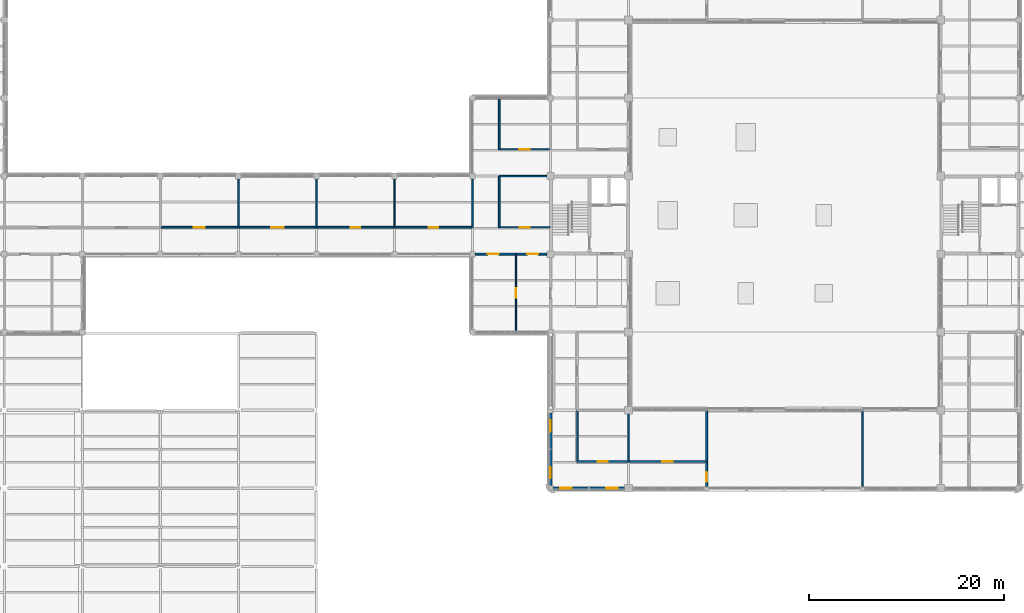
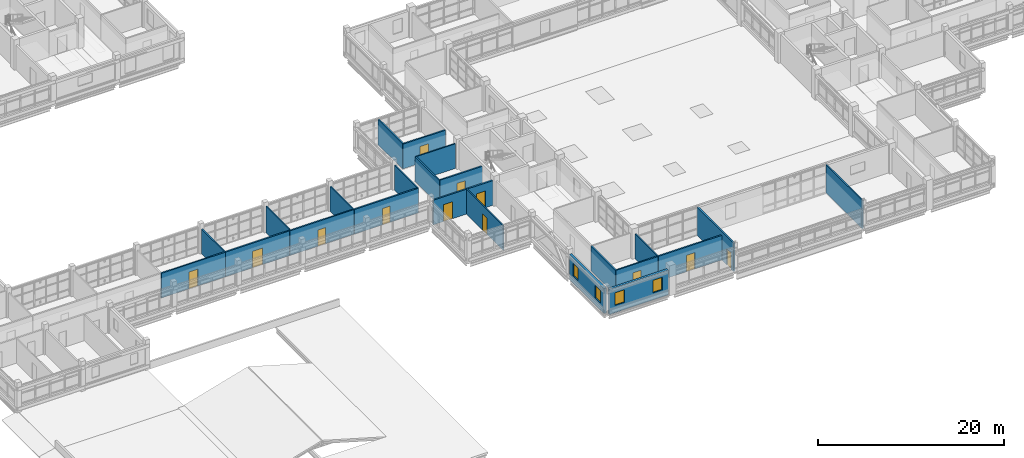
# One storey, part 75 of 107: 23 walls, 12 doors, 4 windows, 16 openings.
"""IFC4 building model written with IfcOpenShell, lengths in metres."""

import ifcopenshell
import ifcopenshell.guid

model = None  # the IFC model being written
_history = None  # IfcOwnerHistory: only IFC2X3 demands one
_inside = {}  # id of a spatial element -> (the spatial element, [elements in it])
_under = {}  # id of a project, library or spatial element -> (it, [spatial elements below it])
_declared = {}  # id of a project -> (the project, [libraries it declares])
_typed = {}  # id of a type object -> (the type object, [elements of that type])
_made_of = {}  # id of a material, layer set ... -> (it, [elements and type objects made of it])


def new_model(schema):
    """Start an empty IFC model of exactly this schema.

    Asked for "IFC4X3", IfcOpenShell would pick the latest addendum, in which some entities
    have other attributes; the version numbers below select the first issue.
    IFC2X3 requires an IfcOwnerHistory on every rooted entity: one is made here for all.
    """
    global model, _history
    if schema == "IFC4X3":
        model = ifcopenshell.file(schema_version=(4, 3, 0, 0))
    else:
        model = ifcopenshell.file(schema=schema)
    _inside.clear()
    _under.clear()
    _declared.clear()
    _typed.clear()
    _made_of.clear()
    _history = None
    if model.schema == "IFC2X3":
        org = make("IfcOrganization", Name="unknown")
        user = make(
            "IfcPersonAndOrganization",
            ThePerson=make("IfcPerson", FamilyName="unknown"),
            TheOrganization=org,
        )
        app = make(
            "IfcApplication",
            ApplicationDeveloper=org,
            Version="unknown",
            ApplicationFullName="unknown",
            ApplicationIdentifier="unknown",
        )
        _history = make(
            "IfcOwnerHistory",
            OwningUser=user,
            OwningApplication=app,
            ChangeAction="ADDED",
            CreationDate=0,
        )
    return model


def make(cls, **values):
    """One entity of the class cls with the attributes given. An attribute that is None is left unset."""
    return model.create_entity(
        cls, **{name: value for name, value in values.items() if value is not None}
    )


def rooted(cls, **values):
    """An entity with a GlobalId (a new one), such as an element, a storey or a relation."""
    return make(cls, GlobalId=ifcopenshell.guid.new(), OwnerHistory=_history, **values)


def si_unit(unit_type, name, prefix=None):
    """IfcSIUnit, for example si_unit("LENGTHUNIT", "METRE", prefix="MILLI")."""
    return make("IfcSIUnit", UnitType=unit_type, Prefix=prefix, Name=name)


def derived_unit(unit_type, elements):
    """IfcDerivedUnit: a product of units, each with its exponent."""
    return make(
        "IfcDerivedUnit",
        Elements=[
            make("IfcDerivedUnitElement", Unit=unit, Exponent=power)
            for unit, power in elements
        ],
        UnitType=unit_type,
    )


def assignment(units):
    """IfcUnitAssignment: the units of a project."""
    return None if units is None else make("IfcUnitAssignment", Units=units)


def point(xyz):
    """IfcCartesianPoint."""
    return None if xyz is None else make("IfcCartesianPoint", Coordinates=xyz)


def direction(xyz):
    """IfcDirection."""
    return None if xyz is None else make("IfcDirection", DirectionRatios=xyz)


def frame(location, z_axis=None, x_axis=None):
    """IfcAxis2Placement3D, a coordinate frame: its origin and axes. An axis left out is left unset."""
    return make(
        "IfcAxis2Placement3D",
        Location=point(location),
        Axis=direction(z_axis),
        RefDirection=direction(x_axis),
    )


def frame_2d(location, x_axis=None):
    """IfcAxis2Placement2D, a coordinate frame in the plane: its origin and x axis."""
    return make(
        "IfcAxis2Placement2D", Location=point(location), RefDirection=direction(x_axis)
    )


def origin():
    """The frame at (0, 0, 0) with its axes left unset."""
    return frame((0.0, 0.0, 0.0))


def place(relative_to, where):
    """IfcLocalPlacement: puts the frame where relative to a parent placement (None: the world)."""
    return make(
        "IfcLocalPlacement", PlacementRelTo=relative_to, RelativePlacement=where
    )


def context(
    kind, dimensions, precision=None, world=None, true_north=None, identifier=None
):
    """IfcGeometricRepresentationContext, for example the 3D "Model" context."""
    return make(
        "IfcGeometricRepresentationContext",
        ContextIdentifier=identifier,
        ContextType=kind,
        CoordinateSpaceDimension=dimensions,
        Precision=precision,
        WorldCoordinateSystem=world,
        TrueNorth=true_north,
    )


def subcontext(parent, identifier, kind, view, scale=None):
    """IfcGeometricRepresentationSubContext, for example "Body" below "Model"."""
    return make(
        "IfcGeometricRepresentationSubContext",
        ContextIdentifier=identifier,
        ContextType=kind,
        ParentContext=parent,
        TargetScale=scale,
        TargetView=view,
    )


def project(units=None, contexts=None):
    """IfcProject with its units and contexts."""
    return rooted(
        "IfcProject",
        Name="project",
        RepresentationContexts=contexts,
        UnitsInContext=assignment(units),
    )


def spatial(cls, under=None, at=None, **own):
    """A site, building, storey or space (cls), placed at a placement, below another one or the project."""
    s = rooted(cls, ObjectPlacement=at, **own)
    if under is not None:
        _under.setdefault(under.id(), (under, []))[1].append(s)
    return s


def profile(cls, at=None, kind="AREA", **sizes):
    """A parametric profile (cls). Its sizes go by their IFC names, for example OverallWidth=200.0."""
    return make(cls, ProfileType=kind, Position=at, **sizes)


def rectangle(**sizes):
    """IfcRectangleProfileDef."""
    return profile("IfcRectangleProfileDef", **sizes)


def extrude(swept, where, along, depth):
    """IfcExtrudedAreaSolid: the profile swept, set in the frame where, extruded along a direction by depth."""
    return make(
        "IfcExtrudedAreaSolid",
        SweptArea=swept,
        Position=where,
        ExtrudedDirection=direction(along),
        Depth=depth,
    )


def shape(context_of_items, identifier, shape_type, items):
    """IfcShapeRepresentation: the items that make up one representation, for example the "Body"."""
    return make(
        "IfcShapeRepresentation",
        ContextOfItems=context_of_items,
        RepresentationIdentifier=identifier,
        RepresentationType=shape_type,
        Items=items,
    )


def material(Name=None, Category=None):
    """IfcMaterial."""
    return make("IfcMaterial", Name=Name, Category=Category)


def layer(
    of_material, thickness, ventilated=None, Name=None, Category=None, Priority=None
):
    """IfcMaterialLayer: one layer of a wall or slab, of a material (None: an air gap)."""
    return make(
        "IfcMaterialLayer",
        Material=of_material,
        LayerThickness=thickness,
        IsVentilated=ventilated,
        Name=Name,
        Category=Category,
        Priority=Priority,
    )


def layer_set(layers, Name=None):
    """IfcMaterialLayerSet."""
    return make("IfcMaterialLayerSet", MaterialLayers=layers, LayerSetName=Name)


def made_of(thing, what):
    """Note that an element or type object is made of a material, layer set ...; save() writes the relation."""
    if what is not None:
        _made_of.setdefault(what.id(), (what, []))[1].append(thing)
    return thing


def type_object(cls, material=None, **own):
    """A type object (cls), such as IfcWallType, which elements share."""
    return made_of(rooted(cls, **own), material)


def element(
    cls,
    number,
    at=None,
    inside=None,
    cuts=None,
    type_object=None,
    material=None,
    context=None,
    identifier="Body",
    shape_type=None,
    held_by="IfcProductDefinitionShape",
    body=None,
    shapes=None,
    **own,
):
    """One element of the class cls, such as IfcWall. Its Tag is "e" and its number.

    at: its placement. inside: the storey or other place that contains it. cuts: it is an
    opening in that element (IfcRelVoidsElement). A single representation is given by context,
    identifier, shape_type and body (its items); several are given by shapes. held_by: the class
    of the entity that holds the representations. save() writes the other relations.
    """
    e = rooted(cls, Tag="e%d" % number, ObjectPlacement=at, **own)
    if body is not None:
        shapes = [shape(context, identifier, shape_type, body)]
    if shapes is not None:
        e.Representation = make(held_by, Representations=shapes)
    if inside is not None:
        _inside.setdefault(inside.id(), (inside, []))[1].append(e)
    if cuts is not None:
        rooted(
            "IfcRelVoidsElement", RelatingBuildingElement=cuts, RelatedOpeningElement=e
        )
    if type_object is not None:
        _typed.setdefault(type_object.id(), (type_object, []))[1].append(e)
    return made_of(e, material)


def fill(opening, filler):
    """IfcRelFillsElement: the door or window that sits in an opening."""
    return rooted(
        "IfcRelFillsElement",
        RelatingOpeningElement=opening,
        RelatedBuildingElement=filler,
    )


def aggregate(whole, parts):
    """IfcRelAggregates: a whole, such as a stair, and the parts it consists of."""
    return rooted("IfcRelAggregates", RelatingObject=whole, RelatedObjects=parts)


def save(model, path):
    """Write the relations noted so far, then the file.

    IfcRelAggregates (storeys below a building ...), IfcRelContainedInSpatialStructure (elements
    in a storey), IfcRelDefinesByType, IfcRelAssociatesMaterial and IfcRelDeclares: one each for
    every whole, place, type object, material and project.
    """
    for whole, parts in _under.values():
        aggregate(whole, parts)
    for where, things in _inside.values():
        rooted(
            "IfcRelContainedInSpatialStructure",
            RelatedElements=things,
            RelatingStructure=where,
        )
    for kind, things in _typed.values():
        rooted("IfcRelDefinesByType", RelatedObjects=things, RelatingType=kind)
    for what, things in _made_of.values():
        rooted("IfcRelAssociatesMaterial", RelatedObjects=things, RelatingMaterial=what)
    for by, libraries in _declared.values():
        rooted("IfcRelDeclares", RelatingContext=by, RelatedDefinitions=libraries)
    model.write(path)


model = new_model("IFC4")

# Units and contexts
model_context = context("Model", 3, precision=1e-05, world=origin(), true_north=direction((0.0, 1.0)))
body_context = subcontext(model_context, "Body", "Model", "MODEL_VIEW")
ifc_project = project(units=[si_unit("LENGTHUNIT", "METRE"), si_unit("AREAUNIT", "SQUARE_METRE"), si_unit("VOLUMEUNIT", "CUBIC_METRE"), si_unit("PLANEANGLEUNIT", "RADIAN"), si_unit("MASSUNIT", "GRAM", prefix="KILO"), derived_unit("THERMALTRANSMITTANCEUNIT", [(si_unit("MASSUNIT", "GRAM", prefix="KILO"), 1), (si_unit("TIMEUNIT", "SECOND"), -3), (si_unit("THERMODYNAMICTEMPERATUREUNIT", "KELVIN"), -1)])], contexts=[model_context])

# Site, building, storey
site_placement = place(None, origin())
site = spatial("IfcSite", under=ifc_project, at=site_placement, CompositionType="ELEMENT")
building_placement = place(site_placement, origin())
building = spatial("IfcBuilding", under=site, at=building_placement, Name="Veyamyaing Civic Hall", CompositionType="ELEMENT")
storey_placement = place(building_placement, frame((0.0, 0.0, 13.860107421875)))
storey = spatial("IfcBuildingStorey", under=building, at=storey_placement, Name="L03", CompositionType="ELEMENT", Elevation=13.860107421875)

# Wall, openings, windows
ifc_material_1 = material(Name="Precast concrete C40/50", Category="concrete")
ifc_layer_1 = layer(ifc_material_1, 0.304931640625, Name="Precast concrete C40/50")
ifc_layer_set_1 = layer_set([ifc_layer_1], Name="Precast concrete C40/50")
wall_type_1 = type_object("IfcWallType", Name="WT-03", PredefinedType="SOLIDWALL", material=ifc_layer_set_1)
wall_1_placement = place(storey_placement, frame((64.260009765625, 24.0, 0.0), z_axis=(0.0, 0.0, 1.0), x_axis=(1.0, 0.0, 0.0)))
wall_1 = element("IfcWall", 1, at=wall_1_placement, inside=storey, type_object=wall_type_1, Name="Exterior facade wall WT-03 L03 S 9.4", PredefinedType="SOLIDWALL", context=body_context, shape_type="SweptSolid", body=[
    extrude(rectangle(XDim=7.35498046875, YDim=0.304931640625, at=frame_2d((3.677490234375, 0.0))), origin(), (0.0, 0.0, 1.0), 3.303955078125),
])
opening_1_placement = place(wall_1_placement, frame((0.748779296875, 0.0, 0.949951171875)))
opening_1 = element("IfcOpeningElement", 2, at=opening_1_placement, cuts=wall_1, Name="Opening W-32", PredefinedType="OPENING", context=body_context, shape_type="SweptSolid", body=[
    extrude(rectangle(XDim=1.14990234375, YDim=1.64990234375, at=frame_2d((0.574951171875, 0.824951171875))), frame((0.0, 0.162353515625, 0.0), z_axis=(0.0, -1.0, 0.0), x_axis=(1.0, 0.0, 0.0)), (0.0, 0.0, 1.0), 0.324951171875),
])
opening_2_placement = place(wall_1_placement, frame((5.4560546875, 0.0, 0.949951171875)))
opening_2 = element("IfcOpeningElement", 3, at=opening_2_placement, cuts=wall_1, Name="Opening W-32", PredefinedType="OPENING", context=body_context, shape_type="SweptSolid", body=[
    extrude(rectangle(XDim=1.14990234375, YDim=1.64990234375, at=frame_2d((0.574951171875, 0.824951171875))), frame((0.0, 0.162353515625, 0.0), z_axis=(0.0, -1.0, 0.0), x_axis=(1.0, 0.0, 0.0)), (0.0, 0.0, 1.0), 0.324951171875),
])
ifc_material_2 = material(Name="Low-E insulated glass", Category="glass")
window_type = type_object("IfcWindowType", Name="W-32", PartitioningType="SINGLE_PANEL", PredefinedType="WINDOW", material=ifc_material_2)
window_1_placement = place(opening_1_placement, origin())
window_1 = element("IfcWindow", 4, at=window_1_placement, inside=storey, type_object=window_type, Name="Facade window W-32 L03 S 9.4.1", OverallHeight=1.64990234375, OverallWidth=1.14990234375, PartitioningType="SINGLE_PANEL", PredefinedType="WINDOW", context=body_context, shape_type="SweptSolid", body=[
    extrude(rectangle(XDim=1.14990234375, YDim=1.64990234375, at=frame_2d((0.574951171875, 0.824951171875))), frame((0.0, 0.030029296875, 0.0), z_axis=(0.0, -1.0, 0.0), x_axis=(1.0, 0.0, 0.0)), (0.0, 0.0, 1.0), 0.06005859375),
])
fill(opening_1, window_1)
window_2_placement = place(opening_2_placement, origin())
window_2 = element("IfcWindow", 5, at=window_2_placement, inside=storey, type_object=window_type, Name="Facade window W-32 L03 S 9.4.2", OverallHeight=1.64990234375, OverallWidth=1.14990234375, PartitioningType="SINGLE_PANEL", PredefinedType="WINDOW", context=body_context, shape_type="SweptSolid", body=[
    extrude(rectangle(XDim=1.14990234375, YDim=1.64990234375, at=frame_2d((0.574951171875, 0.824951171875))), frame((0.0, 0.030029296875, 0.0), z_axis=(0.0, -1.0, 0.0), x_axis=(1.0, 0.0, 0.0)), (0.0, 0.0, 1.0), 0.06005859375),
])
fill(opening_2, window_2)

wall_2_placement = place(storey_placement, frame((64.0, 24.260009765625, 0.0), z_axis=(0.0, 0.0, 1.0), x_axis=(0.0, 1.0, 0.0)))
wall_2 = element("IfcWall", 6, at=wall_2_placement, inside=storey, type_object=wall_type_1, Name="Exterior facade wall WT-03 L03 W 9.4", PredefinedType="SOLIDWALL", context=body_context, shape_type="SweptSolid", body=[
    extrude(rectangle(XDim=7.47998046875, YDim=0.304931640625, at=frame_2d((3.739990234375, 0.0))), origin(), (0.0, 0.0, 1.0), 3.303955078125),
])
opening_3_placement = place(wall_2_placement, frame((0.771484375, 0.0, 0.949951171875)))
opening_3 = element("IfcOpeningElement", 7, at=opening_3_placement, cuts=wall_2, Name="Opening W-32", PredefinedType="OPENING", context=body_context, shape_type="SweptSolid", body=[
    extrude(rectangle(XDim=1.14990234375, YDim=1.64990234375, at=frame_2d((0.574951171875, 0.824951171875))), frame((0.0, 0.162353515625, 0.0), z_axis=(0.0, -1.0, 0.0), x_axis=(1.0, 0.0, 0.0)), (0.0, 0.0, 1.0), 0.324951171875),
])
opening_4_placement = place(wall_2_placement, frame((5.55859375, 0.0, 0.949951171875)))
opening_4 = element("IfcOpeningElement", 8, at=opening_4_placement, cuts=wall_2, Name="Opening W-32", PredefinedType="OPENING", context=body_context, shape_type="SweptSolid", body=[
    extrude(rectangle(XDim=1.14990234375, YDim=1.64990234375, at=frame_2d((0.574951171875, 0.824951171875))), frame((0.0, 0.162353515625, 0.0), z_axis=(0.0, -1.0, 0.0), x_axis=(1.0, 0.0, 0.0)), (0.0, 0.0, 1.0), 0.324951171875),
])
window_3_placement = place(opening_3_placement, origin())
window_3 = element("IfcWindow", 9, at=window_3_placement, inside=storey, type_object=window_type, Name="Facade window W-32 L03 W 9.4.1", OverallHeight=1.64990234375, OverallWidth=1.14990234375, PartitioningType="SINGLE_PANEL", PredefinedType="WINDOW", context=body_context, shape_type="SweptSolid", body=[
    extrude(rectangle(XDim=1.14990234375, YDim=1.64990234375, at=frame_2d((0.574951171875, 0.824951171875))), frame((0.0, 0.030029296875, 0.0), z_axis=(0.0, -1.0, 0.0), x_axis=(1.0, 0.0, 0.0)), (0.0, 0.0, 1.0), 0.06005859375),
])
fill(opening_3, window_3)
window_4_placement = place(opening_4_placement, origin())
window_4 = element("IfcWindow", 10, at=window_4_placement, inside=storey, type_object=window_type, Name="Facade window W-32 L03 W 9.4.2", OverallHeight=1.64990234375, OverallWidth=1.14990234375, PartitioningType="SINGLE_PANEL", PredefinedType="WINDOW", context=body_context, shape_type="SweptSolid", body=[
    extrude(rectangle(XDim=1.14990234375, YDim=1.64990234375, at=frame_2d((0.574951171875, 0.824951171875))), frame((0.0, 0.030029296875, 0.0), z_axis=(0.0, -1.0, 0.0), x_axis=(1.0, 0.0, 0.0)), (0.0, 0.0, 1.0), 0.06005859375),
])
fill(opening_4, window_4)

# Wall, openings, doors
ifc_material_3 = material(Name="Concrete C40/50", Category="concrete")
ifc_layer_2 = layer(ifc_material_3, 0.199951171875, Name="Concrete C40/50")
ifc_layer_set_2 = layer_set([ifc_layer_2], Name="Concrete C40/50")
wall_type_2 = type_object("IfcWallType", Name="WT-06", PredefinedType="PARTITIONING", material=ifc_layer_set_2)
wall_3_placement = place(storey_placement, frame((56.264892578125, 48.0, 0.0), z_axis=(0.0, 0.0, 1.0), x_axis=(1.0, 0.0, 0.0)))
wall_3 = element("IfcWall", 11, at=wall_3_placement, inside=storey, type_object=wall_type_2, Name="Interior partition wall WT-06 L03.13", PredefinedType="PARTITIONING", context=body_context, shape_type="SweptSolid", body=[
    extrude(rectangle(XDim=7.39501953125, YDim=0.199951171875, at=frame_2d((3.697509765625, 0.0))), origin(), (0.0, 0.0, 1.0), 3.2529296875),
])
opening_5_placement = place(wall_3_placement, frame((1.288818359375, 0.0, 0.0)))
opening_5 = element("IfcOpeningElement", 12, at=opening_5_placement, cuts=wall_3, Name="Opening D-26", PredefinedType="OPENING", context=body_context, shape_type="SweptSolid", body=[
    extrude(rectangle(XDim=1.1201171875, YDim=2.219970703125, at=frame_2d((0.56005859375, 1.10986328125))), frame((0.0, 0.10986328125, 0.0), z_axis=(0.0, -1.0, 0.0), x_axis=(1.0, 0.0, 0.0)), (0.0, 0.0, 1.0), 0.219970703125),
])
opening_6_placement = place(wall_3_placement, frame((5.35595703125, 0.0, 0.0)))
opening_6 = element("IfcOpeningElement", 13, at=opening_6_placement, cuts=wall_3, Name="Opening D-26", PredefinedType="OPENING", context=body_context, shape_type="SweptSolid", body=[
    extrude(rectangle(XDim=1.1201171875, YDim=2.219970703125, at=frame_2d((0.56005859375, 1.10986328125))), frame((0.0, 0.10986328125, 0.0), z_axis=(0.0, -1.0, 0.0), x_axis=(1.0, 0.0, 0.0)), (0.0, 0.0, 1.0), 0.219970703125),
])
ifc_material_4 = material(Name="Teak-veneered acoustic timber", Category="wood")
door_type_1 = type_object("IfcDoorType", Name="D-26", OperationType="NOTDEFINED", PredefinedType="DOOR", material=ifc_material_4)
door_1_placement = place(opening_5_placement, frame((1.1201171875, 0.0, 0.0), z_axis=(0.0, 0.0, 1.0), x_axis=(-1.0, 0.0, 0.0)))
door_1 = element("IfcDoor", 14, at=door_1_placement, inside=storey, type_object=door_type_1, Name="Interior room door D-26 L03.13.1", OperationType="SINGLE_SWING_LEFT", OverallHeight=2.219970703125, OverallWidth=1.1201171875, PredefinedType="DOOR", context=body_context, shape_type="SweptSolid", body=[
    extrude(rectangle(XDim=1.1201171875, YDim=2.219970703125, at=frame_2d((0.56005859375, 1.10986328125))), frame((0.0, 0.02490234375, 0.0), z_axis=(0.0, -1.0, 0.0), x_axis=(1.0, 0.0, 0.0)), (0.0, 0.0, 1.0), 0.050048828125),
])
fill(opening_5, door_1)
door_2_placement = place(opening_6_placement, frame((1.1201171875, 0.0, 0.0), z_axis=(0.0, 0.0, 1.0), x_axis=(-1.0, 0.0, 0.0)))
door_2 = element("IfcDoor", 15, at=door_2_placement, inside=storey, type_object=door_type_1, Name="Interior room door D-26 L03.13.2", OperationType="SINGLE_SWING_RIGHT", OverallHeight=2.219970703125, OverallWidth=1.1201171875, PredefinedType="DOOR", context=body_context, shape_type="SweptSolid", body=[
    extrude(rectangle(XDim=1.1201171875, YDim=2.219970703125, at=frame_2d((0.56005859375, 1.10986328125))), frame((0.0, 0.02490234375, 0.0), z_axis=(0.0, -1.0, 0.0), x_axis=(1.0, 0.0, 0.0)), (0.0, 0.0, 1.0), 0.050048828125),
])
fill(opening_6, door_2)

# Wall, opening, door
wall_4_placement = place(storey_placement, frame((80.0, 24.16796875, 0.0), z_axis=(0.0, 0.0, 1.0), x_axis=(0.0, 1.0, 0.0)))
wall_4 = element("IfcWall", 16, at=wall_4_placement, inside=storey, type_object=wall_type_2, Name="Interior partition wall WT-06 L03.14", PredefinedType="PARTITIONING", context=body_context, shape_type="SweptSolid", body=[
    extrude(rectangle(XDim=7.83203125, YDim=0.199951171875, at=frame_2d((3.916015625, 0.0))), origin(), (0.0, 0.0, 1.0), 3.71484375),
])
opening_7_placement = place(wall_4_placement, frame((0.52001953125, 0.0, 0.0)))
opening_7 = element("IfcOpeningElement", 17, at=opening_7_placement, cuts=wall_4, Name="Opening D-30", PredefinedType="OPENING", context=body_context, shape_type="SweptSolid", body=[
    extrude(rectangle(XDim=0.93994140625, YDim=2.1201171875, at=frame_2d((0.469970703125, 1.06005859375))), frame((0.0, 0.10986328125, 0.0), z_axis=(0.0, -1.0, 0.0), x_axis=(1.0, 0.0, 0.0)), (0.0, 0.0, 1.0), 0.219970703125),
])
door_type_2 = type_object("IfcDoorType", Name="D-30", OperationType="NOTDEFINED", PredefinedType="DOOR", material=ifc_material_4)
door_3_placement = place(opening_7_placement, frame((0.93994140625, 0.0, 0.0), z_axis=(0.0, 0.0, 1.0), x_axis=(-1.0, 0.0, 0.0)))
door_3 = element("IfcDoor", 18, at=door_3_placement, inside=storey, type_object=door_type_2, Name="Interior door D-30 L03.14", OperationType="SINGLE_SWING_LEFT", OverallHeight=2.1201171875, OverallWidth=0.93994140625, PredefinedType="DOOR", context=body_context, shape_type="SweptSolid", body=[
    extrude(rectangle(XDim=0.93994140625, YDim=2.1201171875, at=frame_2d((0.469970703125, 1.06005859375))), frame((0.0, 0.02490234375, 0.0), z_axis=(0.0, -1.0, 0.0), x_axis=(1.0, 0.0, 0.0)), (0.0, 0.0, 1.0), 0.050048828125),
])
fill(opening_7, door_3)

ifc_material_5 = material(Name="Gypsum board on acoustic steel stud", Category="steel")
ifc_layer_3 = layer(ifc_material_5, 0.175048828125, Name="Gypsum board on acoustic steel stud")
ifc_layer_set_3 = layer_set([ifc_layer_3], Name="Gypsum board on acoustic steel stud")
wall_type_3 = type_object("IfcWallType", Name="WT-07", PredefinedType="PARTITIONING", material=ifc_layer_set_3)
wall_5_placement = place(storey_placement, frame((24.02001953125, 50.75, 0.0), z_axis=(0.0, 0.0, 1.0), x_axis=(1.0, 0.0, 0.0)))
wall_5 = element("IfcWall", 19, at=wall_5_placement, inside=storey, type_object=wall_type_3, Name="Corridor gallery partition WT-07 L03.13.1", PredefinedType="PARTITIONING", context=body_context, shape_type="SweptSolid", body=[
    extrude(rectangle(XDim=7.9599609375, YDim=0.175048828125, at=frame_2d((3.97998046875, 0.0))), origin(), (0.0, 0.0, 1.0), 3.246826171875),
])
opening_8_placement = place(wall_5_placement, frame((3.419921875, 0.0, 0.0)))
opening_8 = element("IfcOpeningElement", 20, at=opening_8_placement, cuts=wall_5, Name="Opening D-26", PredefinedType="OPENING", context=body_context, shape_type="SweptSolid", body=[
    extrude(rectangle(XDim=1.1201171875, YDim=2.219970703125, at=frame_2d((0.56005859375, 1.10986328125))), frame((0.0, 0.097412109375, 0.0), z_axis=(0.0, -1.0, 0.0), x_axis=(1.0, 0.0, 0.0)), (0.0, 0.0, 1.0), 0.195068359375),
])
door_4_placement = place(opening_8_placement, origin())
door_4 = element("IfcDoor", 21, at=door_4_placement, inside=storey, type_object=door_type_1, Name="Gallery office door D-26 L03.13", OperationType="SINGLE_SWING_LEFT", OverallHeight=2.219970703125, OverallWidth=1.1201171875, PredefinedType="DOOR", context=body_context, shape_type="SweptSolid", body=[
    extrude(rectangle(XDim=1.1201171875, YDim=2.219970703125, at=frame_2d((0.56005859375, 1.10986328125))), frame((0.0, 0.02490234375, 0.0), z_axis=(0.0, -1.0, 0.0), x_axis=(1.0, 0.0, 0.0)), (0.0, 0.0, 1.0), 0.050048828125),
])
fill(opening_8, door_4)

wall_6_placement = place(storey_placement, frame((40.02001953125, 50.75, 0.0), z_axis=(0.0, 0.0, 1.0), x_axis=(1.0, 0.0, 0.0)))
wall_6 = element("IfcWall", 22, at=wall_6_placement, inside=storey, type_object=wall_type_3, Name="Corridor gallery partition WT-07 L03.15.1", PredefinedType="PARTITIONING", context=body_context, shape_type="SweptSolid", body=[
    extrude(rectangle(XDim=7.9599609375, YDim=0.175048828125, at=frame_2d((3.97998046875, 0.0))), origin(), (0.0, 0.0, 1.0), 3.246826171875),
])
opening_9_placement = place(wall_6_placement, frame((3.510009765625, 0.0, 0.0)))
opening_9 = element("IfcOpeningElement", 23, at=opening_9_placement, cuts=wall_6, Name="Opening D-30", PredefinedType="OPENING", context=body_context, shape_type="SweptSolid", body=[
    extrude(rectangle(XDim=0.93994140625, YDim=2.1201171875, at=frame_2d((0.469970703125, 1.06005859375))), frame((0.0, 0.097412109375, 0.0), z_axis=(0.0, -1.0, 0.0), x_axis=(1.0, 0.0, 0.0)), (0.0, 0.0, 1.0), 0.195068359375),
])
door_5_placement = place(opening_9_placement, origin())
door_5 = element("IfcDoor", 24, at=door_5_placement, inside=storey, type_object=door_type_2, Name="Gallery office door D-30 L03.15", OperationType="SINGLE_SWING_LEFT", OverallHeight=2.1201171875, OverallWidth=0.93994140625, PredefinedType="DOOR", context=body_context, shape_type="SweptSolid", body=[
    extrude(rectangle(XDim=0.93994140625, YDim=2.1201171875, at=frame_2d((0.469970703125, 1.06005859375))), frame((0.0, 0.02490234375, 0.0), z_axis=(0.0, -1.0, 0.0), x_axis=(1.0, 0.0, 0.0)), (0.0, 0.0, 1.0), 0.050048828125),
])
fill(opening_9, door_5)

wall_7_placement = place(storey_placement, frame((58.699951171875, 50.75, 0.0), z_axis=(0.0, 0.0, 1.0), x_axis=(1.0, 0.0, 0.0)))
wall_7 = element("IfcWall", 25, at=wall_7_placement, inside=storey, type_object=wall_type_3, Name="Corridor gallery partition WT-07 L03.19.1", PredefinedType="PARTITIONING", context=body_context, shape_type="SweptSolid", body=[
    extrude(rectangle(XDim=5.280029296875, YDim=0.175048828125, at=frame_2d((2.64013671875, 0.0))), origin(), (0.0, 0.0, 1.0), 3.35791015625),
])
opening_10_placement = place(wall_7_placement, frame((2.1298828125, 0.0, 0.0)))
opening_10 = element("IfcOpeningElement", 26, at=opening_10_placement, cuts=wall_7, Name="Opening D-19", PredefinedType="OPENING", context=body_context, shape_type="SweptSolid", body=[
    extrude(rectangle(XDim=1.02001953125, YDim=2.199951171875, at=frame_2d((0.510009765625, 1.10009765625))), frame((0.0, 0.097412109375, 0.0), z_axis=(0.0, -1.0, 0.0), x_axis=(1.0, 0.0, 0.0)), (0.0, 0.0, 1.0), 0.195068359375),
])
door_type_3 = type_object("IfcDoorType", Name="D-19", OperationType="NOTDEFINED", PredefinedType="DOOR", material=ifc_material_4)
door_6_placement = place(opening_10_placement, origin())
door_6 = element("IfcDoor", 27, at=door_6_placement, inside=storey, type_object=door_type_3, Name="Gallery office door D-19 L03.19", OperationType="SINGLE_SWING_LEFT", OverallHeight=2.199951171875, OverallWidth=1.02001953125, PredefinedType="DOOR", context=body_context, shape_type="SweptSolid", body=[
    extrude(rectangle(XDim=1.02001953125, YDim=2.199951171875, at=frame_2d((0.510009765625, 1.10009765625))), frame((0.0, 0.02490234375, 0.0), z_axis=(0.0, -1.0, 0.0), x_axis=(1.0, 0.0, 0.0)), (0.0, 0.0, 1.0), 0.050048828125),
])
fill(opening_10, door_6)

# Wall
wall_8_placement = place(storey_placement, frame((58.75, 50.699951171875, 0.0), z_axis=(0.0, 0.0, 1.0), x_axis=(0.0, 1.0, 0.0)))
element("IfcWall", 28, at=wall_8_placement, inside=storey, type_object=wall_type_3, Name="Corridor gallery partition WT-07 L03.19.2", PredefinedType="PARTITIONING", context=body_context, shape_type="SweptSolid", body=[
    extrude(rectangle(XDim=5.280029296875, YDim=0.175048828125, at=frame_2d((2.64013671875, 0.0))), origin(), (0.0, 0.0, 1.0), 3.240966796875),
])

# Wall, opening, door
wall_9_placement = place(storey_placement, frame((66.699951171875, 26.75, 0.0), z_axis=(0.0, 0.0, 1.0), x_axis=(1.0, 0.0, 0.0)))
wall_9 = element("IfcWall", 29, at=wall_9_placement, inside=storey, type_object=wall_type_3, Name="Corridor gallery partition WT-07 L03.21.1", PredefinedType="PARTITIONING", context=body_context, shape_type="SweptSolid", body=[
    extrude(rectangle(XDim=5.280029296875, YDim=0.175048828125, at=frame_2d((2.64013671875, 0.0))), origin(), (0.0, 0.0, 1.0), 3.241943359375),
])
opening_11_placement = place(wall_9_placement, frame((2.1201171875, 0.0, 0.0)))
opening_11 = element("IfcOpeningElement", 30, at=opening_11_placement, cuts=wall_9, Name="Opening D-24", PredefinedType="OPENING", context=body_context, shape_type="SweptSolid", body=[
    extrude(rectangle(XDim=1.0400390625, YDim=2.179931640625, at=frame_2d((0.52001953125, 1.08984375))), frame((0.0, 0.097412109375, 0.0), z_axis=(0.0, -1.0, 0.0), x_axis=(1.0, 0.0, 0.0)), (0.0, 0.0, 1.0), 0.195068359375),
])
door_type_4 = type_object("IfcDoorType", Name="D-24", OperationType="NOTDEFINED", PredefinedType="DOOR", material=ifc_material_4)
door_7_placement = place(opening_11_placement, origin())
door_7 = element("IfcDoor", 31, at=door_7_placement, inside=storey, type_object=door_type_4, Name="Gallery office door D-24 L03.21", OperationType="SINGLE_SWING_LEFT", OverallHeight=2.179931640625, OverallWidth=1.0400390625, PredefinedType="DOOR", context=body_context, shape_type="SweptSolid", body=[
    extrude(rectangle(XDim=1.0400390625, YDim=2.179931640625, at=frame_2d((0.52001953125, 1.08984375))), frame((0.0, 0.02490234375, 0.0), z_axis=(0.0, -1.0, 0.0), x_axis=(1.0, 0.0, 0.0)), (0.0, 0.0, 1.0), 0.050048828125),
])
fill(opening_11, door_7)

# Walls
wall_10_placement = place(storey_placement, frame((66.75, 26.699951171875, 0.0), z_axis=(0.0, 0.0, 1.0), x_axis=(0.0, 1.0, 0.0)))
element("IfcWall", 32, at=wall_10_placement, inside=storey, type_object=wall_type_3, Name="Corridor gallery partition WT-07 L03.21.2", PredefinedType="PARTITIONING", context=body_context, shape_type="SweptSolid", body=[
    extrude(rectangle(XDim=5.280029296875, YDim=0.175048828125, at=frame_2d((2.64013671875, 0.0))), origin(), (0.0, 0.0, 1.0), 3.246826171875),
])
ifc_material_6 = material(Name="Gypsum board on steel stud", Category="steel")
ifc_layer_4 = layer(ifc_material_6, 0.14990234375, Name="Gypsum board on steel stud")
ifc_layer_set_4 = layer_set([ifc_layer_4], Name="Gypsum board on steel stud")
wall_type_4 = type_object("IfcWallType", Name="WT-08", PredefinedType="PARTITIONING", material=ifc_layer_set_4)
wall_11_placement = place(storey_placement, frame((32.0, 50.75, 0.0), z_axis=(0.0, 0.0, 1.0), x_axis=(0.0, 1.0, 0.0)))
element("IfcWall", 33, at=wall_11_placement, inside=storey, type_object=wall_type_4, Name="Gallery office end partition WT-08 L03.13.2", PredefinedType="PARTITIONING", context=body_context, shape_type="SweptSolid", body=[
    extrude(rectangle(XDim=4.965087890625, YDim=0.14990234375, at=frame_2d((2.482421875, 0.0))), origin(), (0.0, 0.0, 1.0), 3.2529296875),
])
wall_12_placement = place(storey_placement, frame((40.0, 50.75, 0.0), z_axis=(0.0, 0.0, 1.0), x_axis=(0.0, 1.0, 0.0)))
element("IfcWall", 34, at=wall_12_placement, inside=storey, type_object=wall_type_4, Name="Gallery office end partition WT-08 L03.14.2", PredefinedType="PARTITIONING", context=body_context, shape_type="SweptSolid", body=[
    extrude(rectangle(XDim=4.965087890625, YDim=0.14990234375, at=frame_2d((2.482421875, 0.0))), origin(), (0.0, 0.0, 1.0), 3.451904296875),
])
wall_13_placement = place(storey_placement, frame((48.0, 50.75, 0.0), z_axis=(0.0, 0.0, 1.0), x_axis=(0.0, 1.0, 0.0)))
element("IfcWall", 35, at=wall_13_placement, inside=storey, type_object=wall_type_4, Name="Gallery office end partition WT-08 L03.15.2", PredefinedType="PARTITIONING", context=body_context, shape_type="SweptSolid", body=[
    extrude(rectangle(XDim=4.965087890625, YDim=0.14990234375, at=frame_2d((2.482421875, 0.0))), origin(), (0.0, 0.0, 1.0), 3.246826171875),
])
wall_14_placement = place(storey_placement, frame((56.0, 50.75, 0.0), z_axis=(0.0, 0.0, 1.0), x_axis=(0.0, 1.0, 0.0)))
element("IfcWall", 36, at=wall_14_placement, inside=storey, type_object=wall_type_4, Name="Gallery office end partition WT-08 L03.18.2", PredefinedType="PARTITIONING", context=body_context, shape_type="SweptSolid", body=[
    extrude(rectangle(XDim=4.965087890625, YDim=0.14990234375, at=frame_2d((2.482421875, 0.0))), origin(), (0.0, 0.0, 1.0), 3.2529296875),
])
wall_15_placement = place(storey_placement, frame((58.75, 56.0, 0.0), z_axis=(0.0, 0.0, 1.0), x_axis=(1.0, 0.0, 0.0)))
element("IfcWall", 37, at=wall_15_placement, inside=storey, type_object=wall_type_4, Name="Gallery office end partition WT-08 L03.19.1", PredefinedType="PARTITIONING", context=body_context, shape_type="SweptSolid", body=[
    extrude(rectangle(XDim=4.889892578125, YDim=0.14990234375, at=frame_2d((2.44482421875, 0.0))), origin(), (0.0, 0.0, 1.0), 3.240966796875),
])
wall_16_placement = place(storey_placement, frame((72.0, 26.75, 0.0), z_axis=(0.0, 0.0, 1.0), x_axis=(0.0, 1.0, 0.0)))
element("IfcWall", 38, at=wall_16_placement, inside=storey, type_object=wall_type_4, Name="Gallery office end partition WT-08 L03.21.2", PredefinedType="PARTITIONING", context=body_context, shape_type="SweptSolid", body=[
    extrude(rectangle(XDim=4.840087890625, YDim=0.14990234375, at=frame_2d((2.419921875, 0.0))), origin(), (0.0, 0.0, 1.0), 3.241943359375),
])
wall_17_placement = place(storey_placement, frame((96.0, 24.16796875, 0.0), z_axis=(0.0, 0.0, 1.0), x_axis=(0.0, 1.0, 0.0)))
element("IfcWall", 39, at=wall_17_placement, inside=storey, type_object=wall_type_4, Name="Interior partition wall WT-08 L03.16", PredefinedType="PARTITIONING", context=body_context, shape_type="SweptSolid", body=[
    extrude(rectangle(XDim=7.83203125, YDim=0.14990234375, at=frame_2d((3.916015625, 0.0))), origin(), (0.0, 0.0, 1.0), 3.71484375),
])

# Wall, opening, door
ifc_layer_5 = layer(ifc_material_6, 0.135009765625, Name="Gypsum board on steel stud")
ifc_layer_set_5 = layer_set([ifc_layer_5], Name="Gypsum board on steel stud")
wall_type_5 = type_object("IfcWallType", Name="WT-15", PredefinedType="PARTITIONING", material=ifc_layer_set_5)
wall_18_placement = place(storey_placement, frame((60.449951171875, 40.02001953125, 0.0), z_axis=(0.0, 0.0, 1.0), x_axis=(0.0, 1.0, 0.0)))
wall_18 = element("IfcWall", 40, at=wall_18_placement, inside=storey, type_object=wall_type_5, Name="Sub-bay room partition WT-15 L03.3", PredefinedType="PARTITIONING", context=body_context, shape_type="SweptSolid", body=[
    extrude(rectangle(XDim=7.9599609375, YDim=0.135009765625, at=frame_2d((3.97998046875, 0.0))), origin(), (0.0, 0.0, 1.0), 3.2529296875),
])
opening_12_placement = place(wall_18_placement, frame((3.489990234375, 0.0, 0.0)))
opening_12 = element("IfcOpeningElement", 41, at=opening_12_placement, cuts=wall_18, Name="Opening D-14", PredefinedType="OPENING", context=body_context, shape_type="SweptSolid", body=[
    extrude(rectangle(XDim=0.97998046875, YDim=2.14990234375, at=frame_2d((0.489990234375, 1.074951171875))), frame((0.0, 0.077392578125, 0.0), z_axis=(0.0, -1.0, 0.0), x_axis=(1.0, 0.0, 0.0)), (0.0, 0.0, 1.0), 0.155029296875),
])
door_type_5 = type_object("IfcDoorType", Name="D-14", OperationType="NOTDEFINED", PredefinedType="DOOR", material=ifc_material_4)
door_8_placement = place(opening_12_placement, origin())
door_8 = element("IfcDoor", 42, at=door_8_placement, inside=storey, type_object=door_type_5, Name="Suite connecting door D-14 L03.3", OperationType="SINGLE_SWING_RIGHT", OverallHeight=2.14990234375, OverallWidth=0.97998046875, PredefinedType="DOOR", context=body_context, shape_type="SweptSolid", body=[
    extrude(rectangle(XDim=0.97998046875, YDim=2.14990234375, at=frame_2d((0.489990234375, 1.074951171875))), frame((0.0, 0.02490234375, 0.0), z_axis=(0.0, -1.0, 0.0), x_axis=(1.0, 0.0, 0.0)), (0.0, 0.0, 1.0), 0.050048828125),
])
fill(opening_12, door_8)

ifc_material_7 = material(Name="Gypsum board on double acoustic stud")
ifc_layer_6 = layer(ifc_material_7, 0.18505859375, Name="Gypsum board on double acoustic stud")
ifc_layer_set_6 = layer_set([ifc_layer_6], Name="Gypsum board on double acoustic stud")
wall_type_6 = type_object("IfcWallType", Name="WT-19", PredefinedType="PARTITIONING", material=ifc_layer_set_6)
wall_19_placement = place(storey_placement, frame((32.02001953125, 50.75, 0.0), z_axis=(0.0, 0.0, 1.0), x_axis=(1.0, 0.0, 0.0)))
wall_19 = element("IfcWall", 43, at=wall_19_placement, inside=storey, type_object=wall_type_6, Name="Corridor gallery partition WT-19 L03.14.1", PredefinedType="PARTITIONING", context=body_context, shape_type="SweptSolid", body=[
    extrude(rectangle(XDim=7.9599609375, YDim=0.18505859375, at=frame_2d((3.97998046875, 0.0))), origin(), (0.0, 0.0, 1.0), 3.2529296875),
])
opening_13_placement = place(wall_19_placement, frame((3.35498046875, 0.0, 0.0)))
opening_13 = element("IfcOpeningElement", 44, at=opening_13_placement, cuts=wall_19, Name="Opening D-29", PredefinedType="OPENING", context=body_context, shape_type="SweptSolid", body=[
    extrude(rectangle(XDim=1.25, YDim=2.179931640625, at=frame_2d((0.625, 1.08984375))), frame((0.0, 0.1025390625, 0.0), z_axis=(0.0, -1.0, 0.0), x_axis=(1.0, 0.0, 0.0)), (0.0, 0.0, 1.0), 0.205078125),
])
door_type_6 = type_object("IfcDoorType", Name="D-29", OperationType="NOTDEFINED", PredefinedType="DOOR", material=ifc_material_4)
door_9_placement = place(opening_13_placement, origin())
door_9 = element("IfcDoor", 45, at=door_9_placement, inside=storey, type_object=door_type_6, Name="Gallery office door D-29 L03.14", OperationType="SINGLE_SWING_RIGHT", OverallHeight=2.179931640625, OverallWidth=1.25, PredefinedType="DOOR", context=body_context, shape_type="SweptSolid", body=[
    extrude(rectangle(XDim=1.25, YDim=2.179931640625, at=frame_2d((0.625, 1.08984375))), frame((0.0, 0.02490234375, 0.0), z_axis=(0.0, -1.0, 0.0), x_axis=(1.0, 0.0, 0.0)), (0.0, 0.0, 1.0), 0.050048828125),
])
fill(opening_13, door_9)

wall_20_placement = place(storey_placement, frame((48.02001953125, 50.75, 0.0), z_axis=(0.0, 0.0, 1.0), x_axis=(1.0, 0.0, 0.0)))
wall_20 = element("IfcWall", 46, at=wall_20_placement, inside=storey, type_object=wall_type_6, Name="Corridor gallery partition WT-19 L03.18.1", PredefinedType="PARTITIONING", context=body_context, shape_type="SweptSolid", body=[
    extrude(rectangle(XDim=7.9599609375, YDim=0.18505859375, at=frame_2d((3.97998046875, 0.0))), origin(), (0.0, 0.0, 1.0), 3.246826171875),
])
opening_14_placement = place(wall_20_placement, frame((3.489990234375, 0.0, 0.0)))
opening_14 = element("IfcOpeningElement", 47, at=opening_14_placement, cuts=wall_20, Name="Opening D-14", PredefinedType="OPENING", context=body_context, shape_type="SweptSolid", body=[
    extrude(rectangle(XDim=0.97998046875, YDim=2.14990234375, at=frame_2d((0.489990234375, 1.074951171875))), frame((0.0, 0.1025390625, 0.0), z_axis=(0.0, -1.0, 0.0), x_axis=(1.0, 0.0, 0.0)), (0.0, 0.0, 1.0), 0.205078125),
])
door_10_placement = place(opening_14_placement, origin())
door_10 = element("IfcDoor", 48, at=door_10_placement, inside=storey, type_object=door_type_5, Name="Gallery office door D-14 L03.18", OperationType="SINGLE_SWING_RIGHT", OverallHeight=2.14990234375, OverallWidth=0.97998046875, PredefinedType="DOOR", context=body_context, shape_type="SweptSolid", body=[
    extrude(rectangle(XDim=0.97998046875, YDim=2.14990234375, at=frame_2d((0.489990234375, 1.074951171875))), frame((0.0, 0.02490234375, 0.0), z_axis=(0.0, -1.0, 0.0), x_axis=(1.0, 0.0, 0.0)), (0.0, 0.0, 1.0), 0.050048828125),
])
fill(opening_14, door_10)

wall_21_placement = place(storey_placement, frame((58.699951171875, 58.75, 0.0), z_axis=(0.0, 0.0, 1.0), x_axis=(1.0, 0.0, 0.0)))
wall_21 = element("IfcWall", 49, at=wall_21_placement, inside=storey, type_object=wall_type_6, Name="Corridor gallery partition WT-19 L03.20.1", PredefinedType="PARTITIONING", context=body_context, shape_type="SweptSolid", body=[
    extrude(rectangle(XDim=5.280029296875, YDim=0.18505859375, at=frame_2d((2.64013671875, 0.0))), origin(), (0.0, 0.0, 1.0), 3.246826171875),
])
opening_15_placement = place(wall_21_placement, frame((2.10009765625, 0.0, 0.0)))
opening_15 = element("IfcOpeningElement", 50, at=opening_15_placement, cuts=wall_21, Name="Opening D-23", PredefinedType="OPENING", context=body_context, shape_type="SweptSolid", body=[
    extrude(rectangle(XDim=1.080078125, YDim=2.199951171875, at=frame_2d((0.5400390625, 1.10009765625))), frame((0.0, 0.1025390625, 0.0), z_axis=(0.0, -1.0, 0.0), x_axis=(1.0, 0.0, 0.0)), (0.0, 0.0, 1.0), 0.205078125),
])
door_type_7 = type_object("IfcDoorType", Name="D-23", OperationType="NOTDEFINED", PredefinedType="DOOR", material=ifc_material_4)
door_11_placement = place(opening_15_placement, origin())
door_11 = element("IfcDoor", 51, at=door_11_placement, inside=storey, type_object=door_type_7, Name="Gallery office door D-23 L03.20", OperationType="SINGLE_SWING_RIGHT", OverallHeight=2.199951171875, OverallWidth=1.080078125, PredefinedType="DOOR", context=body_context, shape_type="SweptSolid", body=[
    extrude(rectangle(XDim=1.080078125, YDim=2.199951171875, at=frame_2d((0.5400390625, 1.10009765625))), frame((0.0, 0.02490234375, 0.0), z_axis=(0.0, -1.0, 0.0), x_axis=(1.0, 0.0, 0.0)), (0.0, 0.0, 1.0), 0.050048828125),
])
fill(opening_15, door_11)

# Wall
wall_22_placement = place(storey_placement, frame((58.75, 58.699951171875, 0.0), z_axis=(0.0, 0.0, 1.0), x_axis=(0.0, 1.0, 0.0)))
element("IfcWall", 52, at=wall_22_placement, inside=storey, type_object=wall_type_6, Name="Corridor gallery partition WT-19 L03.20.2", PredefinedType="PARTITIONING", context=body_context, shape_type="SweptSolid", body=[
    extrude(rectangle(XDim=5.280029296875, YDim=0.18505859375, at=frame_2d((2.64013671875, 0.0))), origin(), (0.0, 0.0, 1.0), 3.296875),
])

# Wall, opening, door
wall_23_placement = place(storey_placement, frame((72.02001953125, 26.75, 0.0), z_axis=(0.0, 0.0, 1.0), x_axis=(1.0, 0.0, 0.0)))
wall_23 = element("IfcWall", 53, at=wall_23_placement, inside=storey, type_object=wall_type_6, Name="Corridor gallery partition WT-19 L03.26.1", PredefinedType="PARTITIONING", context=body_context, shape_type="SweptSolid", body=[
    extrude(rectangle(XDim=7.9599609375, YDim=0.18505859375, at=frame_2d((3.97998046875, 0.0))), origin(), (0.0, 0.0, 1.0), 3.241943359375),
])
opening_16_placement = place(wall_23_placement, frame((3.455078125, 0.0, 0.0)))
opening_16 = element("IfcOpeningElement", 54, at=opening_16_placement, cuts=wall_23, Name="Opening D-12", PredefinedType="OPENING", context=body_context, shape_type="SweptSolid", body=[
    extrude(rectangle(XDim=1.050048828125, YDim=2.14990234375, at=frame_2d((0.52490234375, 1.074951171875))), frame((0.0, 0.1025390625, 0.0), z_axis=(0.0, -1.0, 0.0), x_axis=(1.0, 0.0, 0.0)), (0.0, 0.0, 1.0), 0.205078125),
])
door_type_8 = type_object("IfcDoorType", Name="D-12", OperationType="NOTDEFINED", PredefinedType="DOOR", material=ifc_material_4)
door_12_placement = place(opening_16_placement, origin())
door_12 = element("IfcDoor", 55, at=door_12_placement, inside=storey, type_object=door_type_8, Name="Gallery office door D-12 L03.26", OperationType="SINGLE_SWING_RIGHT", OverallHeight=2.14990234375, OverallWidth=1.050048828125, PredefinedType="DOOR", context=body_context, shape_type="SweptSolid", body=[
    extrude(rectangle(XDim=1.050048828125, YDim=2.14990234375, at=frame_2d((0.52490234375, 1.074951171875))), frame((0.0, 0.02490234375, 0.0), z_axis=(0.0, -1.0, 0.0), x_axis=(1.0, 0.0, 0.0)), (0.0, 0.0, 1.0), 0.050048828125),
])
fill(opening_16, door_12)

save(model, "model.ifc")
